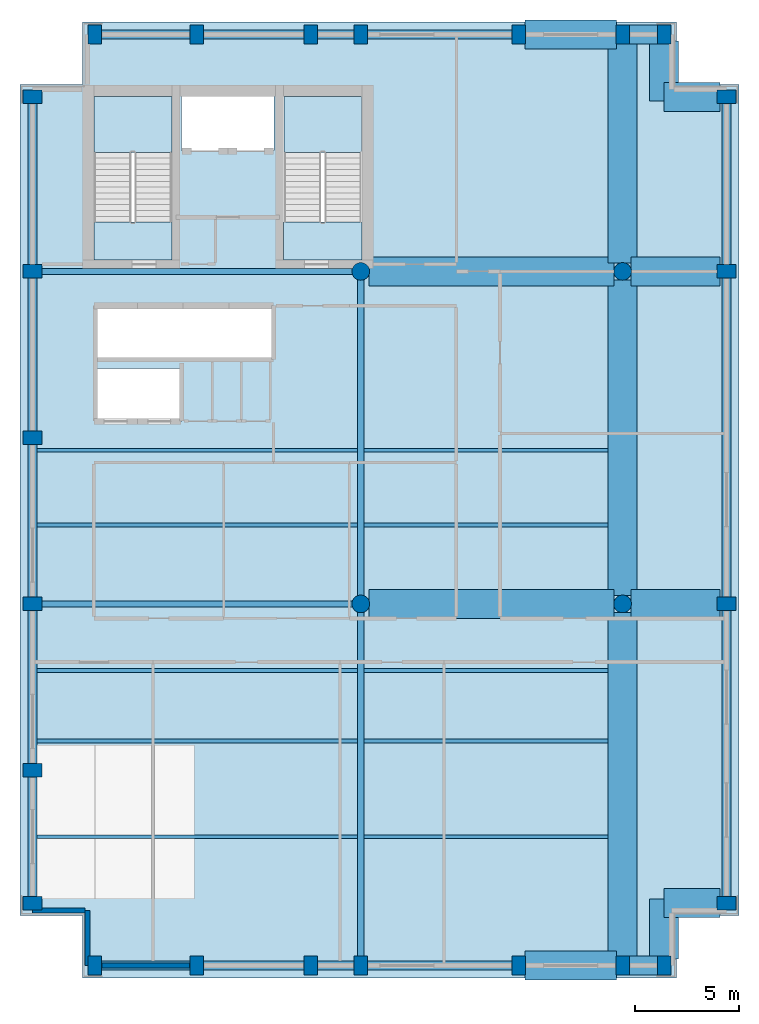
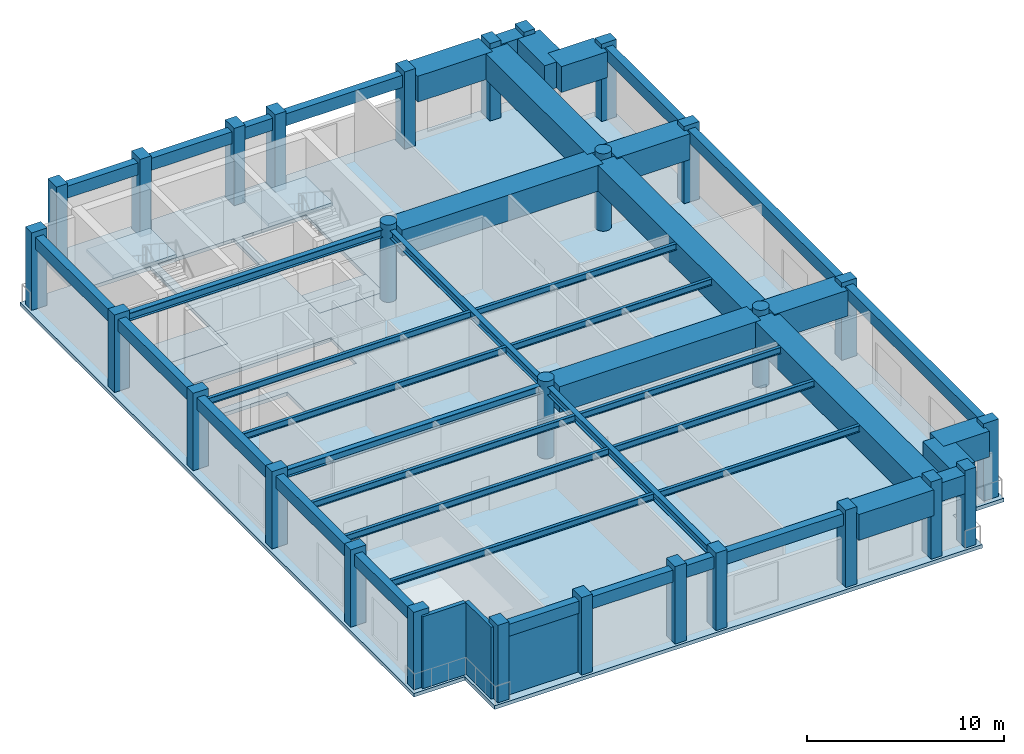
# One storey, part 1 of 6: 45 beams, 28 columns, 5 slabs, 3 walls, 2 elements without a shape of their own.
"""IFC4 building model written with IfcOpenShell, lengths in metres."""

from ifc_helpers import new_model, si_unit, direction, frame, frame_2d, origin, origin_2d, place, context, subcontext, project, spatial, polyline, rectangle, circle, i_section, outline, extrude, material, layer, layer_set, material_profile, profile_set, type_object, element, aggregate, save


model = new_model("IFC4")

# Units and contexts
model_context = context("Model", 3, precision=1e-05, world=origin(), true_north=direction((0.0, 1.0)))
body_context = subcontext(model_context, "Body", "Model", "MODEL_VIEW")
ifc_project = project(units=[si_unit("LENGTHUNIT", "METRE"), si_unit("AREAUNIT", "SQUARE_METRE"), si_unit("VOLUMEUNIT", "CUBIC_METRE"), si_unit("PLANEANGLEUNIT", "RADIAN"), si_unit("MASSUNIT", "GRAM", prefix="KILO")], contexts=[model_context])

# Site, building, storey
site_placement = place(None, origin())
site = spatial("IfcSite", under=ifc_project, at=site_placement, CompositionType="ELEMENT")
building_placement = place(site_placement, origin())
building = spatial("IfcBuilding", under=site, at=building_placement, Name="Sulina Concourse Tower", CompositionType="ELEMENT")
storey_placement = place(building_placement, frame((0.0, 0.0, 313.0)))
storey = spatial("IfcBuildingStorey", under=building, at=storey_placement, Name="L76", CompositionType="ELEMENT", Elevation=313.0)

# Columns
ifc_material_1 = material(Name="Precast concrete C50/60", Category="concrete")
ifc_material_profile_1 = material_profile(ifc_material_1, rectangle(XDim=0.64990234375, YDim=0.89990234375, at=origin_2d()), Name="PC 650x900")
ifc_profile_set_1 = profile_set([ifc_material_profile_1], Name="Precast concrete C50/60")
column_type_1 = type_object("IfcColumnType", Name="Precast Stepped Crown Pier 650x900", PredefinedType="COLUMN", material=ifc_profile_set_1)
for number, where, z_axis, x_axis, name in (
    (1, (3.60009765625, 0.60009765625, 0.0), (0.0, 0.0, 1.0), (1.0, 0.0, 0.0), "L76 structural column TP-S-36"),
    (2, (3.60009765625, 45.39990234375, 0.0), (0.0, 0.0, 1.0), (1.0, 0.0, 0.0), "L76 structural column TP-N-36"),
    (3, (8.5, 0.60009765625, 0.0), (0.0, 0.0, 1.0), (1.0, 0.0, 0.0), "L76 structural column TP-S-85"),
    (4, (8.5, 45.39990234375, 0.0), (0.0, 0.0, 1.0), (1.0, 0.0, 0.0), "L76 structural column TP-N-85"),
    (5, (14.0, 0.60009765625, 0.0), (0.0, 0.0, 1.0), (1.0, 0.0, 0.0), "L76 structural column TP-S-140"),
    (6, (14.0, 45.39990234375, 0.0), (0.0, 0.0, 1.0), (1.0, 0.0, 0.0), "L76 structural column TP-N-140"),
    (7, (16.39990234375, 0.60009765625, 0.0), (0.0, 0.0, 1.0), (1.0, 0.0, 0.0), "L76 structural column TP-S-164"),
    (8, (16.39990234375, 45.39990234375, 0.0), (0.0, 0.0, 1.0), (1.0, 0.0, 0.0), "L76 structural column TP-N-164"),
    (9, (24.0, 0.60009765625, 0.0), (0.0, 0.0, 1.0), (1.0, 0.0, 0.0), "L76 structural column TP-S-240"),
    (10, (24.0, 45.39990234375, 0.0), (0.0, 0.0, 1.0), (1.0, 0.0, 0.0), "L76 structural column TP-N-240"),
    (11, (29.0, 0.60009765625, 0.0), (0.0, 0.0, 1.0), (1.0, 0.0, 0.0), "L76 structural column TP-S-290"),
    (12, (29.0, 45.39990234375, 0.0), (0.0, 0.0, 1.0), (1.0, 0.0, 0.0), "L76 structural column TP-N-290"),
    (13, (31.0, 0.60009765625, 0.0), (0.0, 0.0, 1.0), (1.0, 0.0, 0.0), "L76 structural column TP-SC-310"),
    (14, (31.0, 45.39990234375, 0.0), (0.0, 0.0, 1.0), (1.0, 0.0, 0.0), "L76 structural column TP-NC-310"),
    (15, (0.60009765625, 3.60009765625, 0.0), (0.0, 0.0, 1.0), (0.0, 1.0, 0.0), "L76 structural column TP-W-36"),
    (16, (34.0, 3.60009765625, 0.0), (0.0, 0.0, 1.0), (0.0, 1.0, 0.0), "L76 structural column TP-E-36"),
    (17, (0.60009765625, 10.0, 0.0), (0.0, 0.0, 1.0), (0.0, 1.0, 0.0), "L76 structural column TP-W-100"),
    (18, (0.60009765625, 18.0, 0.0), (0.0, 0.0, 1.0), (0.0, 1.0, 0.0), "L76 structural column TP-W-180"),
    (19, (34.0, 18.0, 0.0), (0.0, 0.0, 1.0), (0.0, 1.0, 0.0), "L76 structural column TP-E-180"),
    (20, (0.60009765625, 26.0, 0.0), (0.0, 0.0, 1.0), (0.0, 1.0, 0.0), "L76 structural column TP-W-260"),
    (21, (0.60009765625, 34.0, 0.0), (0.0, 0.0, 1.0), (0.0, 1.0, 0.0), "L76 structural column TP-W-340"),
    (22, (34.0, 34.0, 0.0), (0.0, 0.0, 1.0), (0.0, 1.0, 0.0), "L76 structural column TP-E-340"),
    (23, (0.60009765625, 42.39990234375, 0.0), (0.0, 0.0, 1.0), (0.0, 1.0, 0.0), "L76 structural column TP-W-424"),
    (24, (34.0, 42.39990234375, 0.0), (0.0, 0.0, 1.0), (0.0, 1.0, 0.0), "L76 structural column TP-E-424"),
):
    element("IfcColumn", number, at=place(storey_placement, frame(where, z_axis=z_axis, x_axis=x_axis)), inside=storey, type_object=column_type_1, Name=name, PredefinedType="COLUMN", context=body_context, shape_type="SweptSolid", body=[
        extrude(rectangle(XDim=0.64990234375, YDim=0.89990234375, at=origin_2d()), origin(), (0.0, 0.0, 1.0), 4.800048828125),
    ])
ifc_material_2 = material(Name="Concrete C50/60", Category="concrete")
ifc_material_profile_2 = material_profile(ifc_material_2, circle(Radius=0.425048828125, at=origin_2d()), Name="RC D850")
ifc_profile_set_2 = profile_set([ifc_material_profile_2], Name="Concrete C50/60")
column_type_2 = type_object("IfcColumnType", Name="Upper Interior Circular Column D850", PredefinedType="COLUMN", material=ifc_profile_set_2)
for number, where, z_axis, x_axis, name in (
    (25, (16.39990234375, 18.0, 0.0), (0.0, 0.0, 1.0), (1.0, 0.0, 0.0), "L76 structural column IC-M-164"),
    (26, (16.39990234375, 34.0, 0.0), (0.0, 0.0, 1.0), (1.0, 0.0, 0.0), "L76 structural column IC-N-164"),
    (27, (29.0, 18.0, 0.0), (0.0, 0.0, 1.0), (1.0, 0.0, 0.0), "L76 structural column IC-M-290"),
    (28, (29.0, 34.0, 0.0), (0.0, 0.0, 1.0), (1.0, 0.0, 0.0), "L76 structural column IC-N-290"),
):
    element("IfcColumn", number, at=place(storey_placement, frame(where, z_axis=z_axis, x_axis=x_axis)), inside=storey, type_object=column_type_2, Name=name, PredefinedType="COLUMN", context=body_context, shape_type="SweptSolid", body=[
        extrude(circle(Radius=0.425048828125, at=origin_2d()), origin(), (0.0, 0.0, 1.0), 4.800048828125),
    ])

# Beams
ifc_material_3 = material(Name="Steel S355", Category="steel")
ifc_material_profile_3 = material_profile(ifc_material_3, i_section(OverallWidth=0.300048828125, OverallDepth=0.5, WebThickness=0.014404296875, FlangeThickness=0.028076171875, at=origin_2d()), Name="HE 500 B")
ifc_profile_set_3 = profile_set([ifc_material_profile_3], Name="Steel S355")
beam_type_1 = type_object("IfcBeamType", Name="Crown & Canopy Primary Girder HE500B", PredefinedType="BEAM", material=ifc_profile_set_3)
for number, where, z_axis, x_axis, name in (
    (29, (0.905029296875, 18.0, 4.2099609375), (1.0, 0.0, 0.0), (0.0, 1.0, 0.0), "FG-EW1-L76"),
    (30, (0.905029296875, 34.0, 4.2099609375), (1.0, 0.0, 0.0), (0.0, 1.0, 0.0), "FG-EWN1-L76"),
):
    element("IfcBeam", number, at=place(storey_placement, frame(where, z_axis=z_axis, x_axis=x_axis)), inside=storey, type_object=beam_type_1, Name=name, PredefinedType="BEAM", context=body_context, shape_type="SweptSolid", body=[
        extrude(i_section(OverallWidth=0.300048828125, OverallDepth=0.5, WebThickness=0.014404296875, FlangeThickness=0.028076171875, at=origin_2d()), origin(), (0.0, 0.0, 1.0), 15.090087890625),
    ])
beam_1_placement = place(storey_placement, frame((16.39990234375, 0.905029296875, 4.2099609375), z_axis=(0.0, 1.0, 0.0), x_axis=(-1.0, 0.0, 0.0)))
element("IfcBeam", 31, at=beam_1_placement, inside=storey, type_object=beam_type_1, Name="FG-NSA-16-L76", PredefinedType="BEAM", context=body_context, shape_type="SweptSolid", body=[
    extrude(i_section(OverallWidth=0.300048828125, OverallDepth=0.5, WebThickness=0.014404296875, FlangeThickness=0.028076171875, at=origin_2d()), origin(), (0.0, 0.0, 1.0), 16.68994140625),
])
beam_2_placement = place(storey_placement, frame((16.39990234375, 18.405029296875, 4.2099609375), z_axis=(0.0, 1.0, 0.0), x_axis=(-1.0, 0.0, 0.0)))
element("IfcBeam", 32, at=beam_2_placement, inside=storey, type_object=beam_type_1, Name="FG-NSB-16-L76", PredefinedType="BEAM", context=body_context, shape_type="SweptSolid", body=[
    extrude(i_section(OverallWidth=0.300048828125, OverallDepth=0.5, WebThickness=0.014404296875, FlangeThickness=0.028076171875, at=origin_2d()), origin(), (0.0, 0.0, 1.0), 15.18994140625),
])
ifc_material_4 = material(Name="Steel S355", Category="steel")
ifc_material_profile_4 = material_profile(ifc_material_4, i_section(OverallWidth=0.179931640625, OverallDepth=0.39990234375, WebThickness=0.008544921875, FlangeThickness=0.013427734375, at=origin_2d()), Name="IPE 400")
ifc_profile_set_4 = profile_set([ifc_material_profile_4], Name="Steel S355")
beam_type_2 = type_object("IfcBeamType", Name="Crown & Terrace Joist IPE400", PredefinedType="JOIST", material=ifc_profile_set_4)
beam_3_placement = place(storey_placement, frame((0.824951171875, 6.800048828125, 4.260009765625), z_axis=(1.0, 0.0, 0.0), x_axis=(0.0, 1.0, 0.0)))
element("IfcBeam", 33, at=beam_3_placement, inside=storey, type_object=beam_type_2, Name="FJ-J06-1-L76", PredefinedType="JOIST", context=body_context, shape_type="SweptSolid", body=[
    extrude(i_section(OverallWidth=0.179931640625, OverallDepth=0.39990234375, WebThickness=0.008544921875, FlangeThickness=0.013427734375, at=origin_2d()), origin(), (0.0, 0.0, 1.0), 15.425048828125),
])
beam_4_placement = place(storey_placement, frame((16.550048828125, 6.800048828125, 4.260009765625), z_axis=(1.0, 0.0, 0.0), x_axis=(0.0, 1.0, 0.0)))
element("IfcBeam", 34, at=beam_4_placement, inside=storey, type_object=beam_type_2, Name="FJ-J06-2-L76", PredefinedType="JOIST", context=body_context, shape_type="SweptSolid", body=[
    extrude(i_section(OverallWidth=0.179931640625, OverallDepth=0.39990234375, WebThickness=0.008544921875, FlangeThickness=0.013427734375, at=origin_2d()), origin(), (0.0, 0.0, 1.0), 11.75),
])
beam_5_placement = place(storey_placement, frame((0.824951171875, 11.39990234375, 4.260009765625), z_axis=(1.0, 0.0, 0.0), x_axis=(0.0, 1.0, 0.0)))
element("IfcBeam", 35, at=beam_5_placement, inside=storey, type_object=beam_type_2, Name="FJ-J11-1-L76", PredefinedType="JOIST", context=body_context, shape_type="SweptSolid", body=[
    extrude(i_section(OverallWidth=0.179931640625, OverallDepth=0.39990234375, WebThickness=0.008544921875, FlangeThickness=0.013427734375, at=origin_2d()), origin(), (0.0, 0.0, 1.0), 15.425048828125),
])
beam_6_placement = place(storey_placement, frame((16.550048828125, 11.39990234375, 4.260009765625), z_axis=(1.0, 0.0, 0.0), x_axis=(0.0, 1.0, 0.0)))
element("IfcBeam", 36, at=beam_6_placement, inside=storey, type_object=beam_type_2, Name="FJ-J11-2-L76", PredefinedType="JOIST", context=body_context, shape_type="SweptSolid", body=[
    extrude(i_section(OverallWidth=0.179931640625, OverallDepth=0.39990234375, WebThickness=0.008544921875, FlangeThickness=0.013427734375, at=origin_2d()), origin(), (0.0, 0.0, 1.0), 11.75),
])
beam_7_placement = place(storey_placement, frame((0.824951171875, 14.800048828125, 4.260009765625), z_axis=(1.0, 0.0, 0.0), x_axis=(0.0, 1.0, 0.0)))
element("IfcBeam", 37, at=beam_7_placement, inside=storey, type_object=beam_type_2, Name="FJ-J15-1-L76", PredefinedType="JOIST", context=body_context, shape_type="SweptSolid", body=[
    extrude(i_section(OverallWidth=0.179931640625, OverallDepth=0.39990234375, WebThickness=0.008544921875, FlangeThickness=0.013427734375, at=origin_2d()), origin(), (0.0, 0.0, 1.0), 15.425048828125),
])
beam_8_placement = place(storey_placement, frame((16.550048828125, 14.800048828125, 4.260009765625), z_axis=(1.0, 0.0, 0.0), x_axis=(0.0, 1.0, 0.0)))
element("IfcBeam", 38, at=beam_8_placement, inside=storey, type_object=beam_type_2, Name="FJ-J15-2-L76", PredefinedType="JOIST", context=body_context, shape_type="SweptSolid", body=[
    extrude(i_section(OverallWidth=0.179931640625, OverallDepth=0.39990234375, WebThickness=0.008544921875, FlangeThickness=0.013427734375, at=origin_2d()), origin(), (0.0, 0.0, 1.0), 11.75),
])
beam_9_placement = place(storey_placement, frame((0.824951171875, 21.800048828125, 4.260009765625), z_axis=(1.0, 0.0, 0.0), x_axis=(0.0, 1.0, 0.0)))
element("IfcBeam", 39, at=beam_9_placement, inside=storey, type_object=beam_type_2, Name="FJ-J22-1-L76", PredefinedType="JOIST", context=body_context, shape_type="SweptSolid", body=[
    extrude(i_section(OverallWidth=0.179931640625, OverallDepth=0.39990234375, WebThickness=0.008544921875, FlangeThickness=0.013427734375, at=origin_2d()), origin(), (0.0, 0.0, 1.0), 15.425048828125),
])
beam_10_placement = place(storey_placement, frame((16.550048828125, 21.800048828125, 4.260009765625), z_axis=(1.0, 0.0, 0.0), x_axis=(0.0, 1.0, 0.0)))
element("IfcBeam", 40, at=beam_10_placement, inside=storey, type_object=beam_type_2, Name="FJ-J22-2-L76", PredefinedType="JOIST", context=body_context, shape_type="SweptSolid", body=[
    extrude(i_section(OverallWidth=0.179931640625, OverallDepth=0.39990234375, WebThickness=0.008544921875, FlangeThickness=0.013427734375, at=origin_2d()), origin(), (0.0, 0.0, 1.0), 11.75),
])
beam_11_placement = place(storey_placement, frame((0.824951171875, 25.39990234375, 4.260009765625), z_axis=(1.0, 0.0, 0.0), x_axis=(0.0, 1.0, 0.0)))
element("IfcBeam", 41, at=beam_11_placement, inside=storey, type_object=beam_type_2, Name="FJ-J25-1-L76", PredefinedType="JOIST", context=body_context, shape_type="SweptSolid", body=[
    extrude(i_section(OverallWidth=0.179931640625, OverallDepth=0.39990234375, WebThickness=0.008544921875, FlangeThickness=0.013427734375, at=origin_2d()), origin(), (0.0, 0.0, 1.0), 15.425048828125),
])
beam_12_placement = place(storey_placement, frame((16.550048828125, 25.39990234375, 4.260009765625), z_axis=(1.0, 0.0, 0.0), x_axis=(0.0, 1.0, 0.0)))
element("IfcBeam", 42, at=beam_12_placement, inside=storey, type_object=beam_type_2, Name="FJ-J25-2-L76", PredefinedType="JOIST", context=body_context, shape_type="SweptSolid", body=[
    extrude(i_section(OverallWidth=0.179931640625, OverallDepth=0.39990234375, WebThickness=0.008544921875, FlangeThickness=0.013427734375, at=origin_2d()), origin(), (0.0, 0.0, 1.0), 11.75),
])
ifc_material_5 = material(Name="Concrete C60/75", Category="concrete")
ifc_material_profile_5 = material_profile(ifc_material_5, rectangle(XDim=1.39990234375, YDim=1.60009765625, at=origin_2d()), Name="RC 1400x1600")
ifc_profile_set_5 = profile_set([ifc_material_profile_5], Name="Concrete C60/75")
beam_type_3 = type_object("IfcBeamType", Name="Perimeter & Step Transfer Girder 1400x1600", PredefinedType="BEAM", material=ifc_profile_set_5)
for number, where, z_axis, x_axis, name in (
    (43, (24.304931640625, 0.60009765625, 3.659912109375), (1.0, 0.0, 0.0), (0.0, 1.0, 0.0), "TG-CSTEP-S5-L76"),
    (44, (24.304931640625, 45.39990234375, 3.659912109375), (1.0, 0.0, 0.0), (0.0, 1.0, 0.0), "TG-CSTEP-N5-L76"),
):
    element("IfcBeam", number, at=place(storey_placement, frame(where, z_axis=z_axis, x_axis=x_axis)), inside=storey, type_object=beam_type_3, Name=name, PredefinedType="BEAM", context=body_context, shape_type="SweptSolid", body=[
        extrude(rectangle(XDim=1.39990234375, YDim=1.60009765625, at=origin_2d()), origin(), (0.0, 0.0, 1.0), 4.39013671875),
    ])
for number, where, z_axis, x_axis, name in (
    (45, (31.0, 3.60009765625, 3.72998046875), (1.0, 0.0, 0.0), (0.0, 1.0, 0.0), "TIE-SE-L76"),
    (46, (31.0, 42.39990234375, 3.72998046875), (1.0, 0.0, 0.0), (0.0, 1.0, 0.0), "TIE-NE-L76"),
):
    element("IfcBeam", number, at=place(storey_placement, frame(where, z_axis=z_axis, x_axis=x_axis)), inside=storey, type_object=beam_type_3, Name=name, PredefinedType="BEAM", context=body_context, shape_type="SweptSolid", body=[
        extrude(rectangle(XDim=1.39990234375, YDim=1.60009765625, at=origin_2d()), origin(), (0.0, 0.0, 1.0), 2.695068359375),
    ])
for number, where, z_axis, x_axis, name in (
    (47, (31.0, 0.905029296875, 3.72998046875), (0.0, 1.0, 0.0), (-1.0, 0.0, 0.0), "TIE-SES-L76"),
    (48, (31.0, 42.199951171875, 3.72998046875), (0.0, 1.0, 0.0), (-1.0, 0.0, 0.0), "TIE-NEN-L76"),
):
    element("IfcBeam", number, at=place(storey_placement, frame(where, z_axis=z_axis, x_axis=x_axis)), inside=storey, type_object=beam_type_3, Name=name, PredefinedType="BEAM", context=body_context, shape_type="SweptSolid", body=[
        extrude(rectangle(XDim=1.39990234375, YDim=1.60009765625, at=origin_2d()), origin(), (0.0, 0.0, 1.0), 2.89501953125),
    ])
beam_13_placement = place(storey_placement, frame((16.804931640625, 18.0, 3.659912109375), z_axis=(1.0, 0.0, 0.0), x_axis=(0.0, 1.0, 0.0)))
element("IfcBeam", 49, at=beam_13_placement, inside=storey, type_object=beam_type_3, Name="TG-EW-M2-L76", PredefinedType="BEAM", context=body_context, shape_type="SweptSolid", body=[
    extrude(rectangle(XDim=1.39990234375, YDim=1.60009765625, at=origin_2d()), origin(), (0.0, 0.0, 1.0), 11.7900390625),
])
beam_14_placement = place(storey_placement, frame((29.405029296875, 18.0, 3.72998046875), z_axis=(1.0, 0.0, 0.0), x_axis=(0.0, 1.0, 0.0)))
element("IfcBeam", 50, at=beam_14_placement, inside=storey, type_object=beam_type_3, Name="TG-EW-M3-L76", PredefinedType="BEAM", context=body_context, shape_type="SweptSolid", body=[
    extrude(rectangle(XDim=1.39990234375, YDim=1.60009765625, at=origin_2d()), origin(), (0.0, 0.0, 1.0), 4.2900390625),
])
beam_15_placement = place(storey_placement, frame((16.804931640625, 34.0, 3.659912109375), z_axis=(1.0, 0.0, 0.0), x_axis=(0.0, 1.0, 0.0)))
element("IfcBeam", 51, at=beam_15_placement, inside=storey, type_object=beam_type_3, Name="TG-EW-N2-L76", PredefinedType="BEAM", context=body_context, shape_type="SweptSolid", body=[
    extrude(rectangle(XDim=1.39990234375, YDim=1.60009765625, at=origin_2d()), origin(), (0.0, 0.0, 1.0), 11.7900390625),
])
beam_16_placement = place(storey_placement, frame((29.405029296875, 34.0, 3.72998046875), z_axis=(1.0, 0.0, 0.0), x_axis=(0.0, 1.0, 0.0)))
element("IfcBeam", 52, at=beam_16_placement, inside=storey, type_object=beam_type_3, Name="TG-EW-N3-L76", PredefinedType="BEAM", context=body_context, shape_type="SweptSolid", body=[
    extrude(rectangle(XDim=1.39990234375, YDim=1.60009765625, at=origin_2d()), origin(), (0.0, 0.0, 1.0), 4.2900390625),
])
beam_17_placement = place(storey_placement, frame((29.0, 0.905029296875, 3.659912109375), z_axis=(0.0, 1.0, 0.0), x_axis=(-1.0, 0.0, 0.0)))
element("IfcBeam", 53, at=beam_17_placement, inside=storey, type_object=beam_type_3, Name="FG-NSA-29-L76", PredefinedType="BEAM", context=body_context, shape_type="SweptSolid", body=[
    extrude(rectangle(XDim=1.39990234375, YDim=1.60009765625, at=origin_2d()), origin(), (0.0, 0.0, 1.0), 16.68994140625),
])
beam_18_placement = place(storey_placement, frame((29.0, 18.405029296875, 3.659912109375), z_axis=(0.0, 1.0, 0.0), x_axis=(-1.0, 0.0, 0.0)))
element("IfcBeam", 54, at=beam_18_placement, inside=storey, type_object=beam_type_3, Name="FG-NSB-29-L76", PredefinedType="BEAM", context=body_context, shape_type="SweptSolid", body=[
    extrude(rectangle(XDim=1.39990234375, YDim=1.60009765625, at=origin_2d()), origin(), (0.0, 0.0, 1.0), 15.18994140625),
])
beam_19_placement = place(storey_placement, frame((29.0, 34.405029296875, 3.659912109375), z_axis=(0.0, 1.0, 0.0), x_axis=(-1.0, 0.0, 0.0)))
element("IfcBeam", 55, at=beam_19_placement, inside=storey, type_object=beam_type_3, Name="FG-NSC-29-L76", PredefinedType="BEAM", context=body_context, shape_type="SweptSolid", body=[
    extrude(rectangle(XDim=1.39990234375, YDim=1.60009765625, at=origin_2d()), origin(), (0.0, 0.0, 1.0), 10.68994140625),
])
ifc_material_6 = material(Name="Concrete C60/75", Category="concrete")
ifc_material_profile_6 = material_profile(ifc_material_6, rectangle(XDim=0.89990234375, YDim=1.14990234375, at=origin_2d()), Name="RC 900x1150")
ifc_profile_set_6 = profile_set([ifc_material_profile_6], Name="Concrete C60/75")
beam_type_4 = type_object("IfcBeamType", Name="Short-Span Step Transfer Beam 900x1150", PredefinedType="BEAM", material=ifc_profile_set_6)
for number, where, z_axis, x_axis, name in (
    (56, (29.304931640625, 0.60009765625, 3.955078125), (1.0, 0.0, 0.0), (0.0, 1.0, 0.0), "TG-CSTEP-S6-L76"),
    (57, (29.304931640625, 45.39990234375, 3.955078125), (1.0, 0.0, 0.0), (0.0, 1.0, 0.0), "TG-CSTEP-N6-L76"),
):
    element("IfcBeam", number, at=place(storey_placement, frame(where, z_axis=z_axis, x_axis=x_axis)), inside=storey, type_object=beam_type_4, Name=name, PredefinedType="BEAM", context=body_context, shape_type="SweptSolid", body=[
        extrude(rectangle(XDim=0.89990234375, YDim=1.14990234375, at=origin_2d()), origin(), (0.0, 0.0, 1.0), 1.39013671875),
    ])
ifc_material_7 = material(Name="Precast concrete C50/60", Category="concrete")
ifc_material_profile_7 = material_profile(ifc_material_7, rectangle(XDim=0.449951171875, YDim=0.75, at=origin_2d()), Name="RC 450x750")
ifc_profile_set_7 = profile_set([ifc_material_profile_7], Name="Precast concrete C50/60")
beam_type_5 = type_object("IfcBeamType", Name="Upper Precast Spandrel Edge Beam 450x750", PredefinedType="BEAM", material=ifc_profile_set_7)
beam_20_placement = place(storey_placement, frame((3.905029296875, 0.60009765625, 4.0849609375), z_axis=(1.0, 0.0, 0.0), x_axis=(0.0, 1.0, 0.0)))
element("IfcBeam", 58, at=beam_20_placement, inside=storey, type_object=beam_type_5, Name="SP-S1-L76", PredefinedType="BEAM", context=body_context, shape_type="SweptSolid", body=[
    extrude(rectangle(XDim=0.449951171875, YDim=0.75, at=origin_2d()), origin(), (0.0, 0.0, 1.0), 4.2900390625),
])
beam_21_placement = place(storey_placement, frame((8.804931640625, 0.60009765625, 4.0849609375), z_axis=(1.0, 0.0, 0.0), x_axis=(0.0, 1.0, 0.0)))
element("IfcBeam", 59, at=beam_21_placement, inside=storey, type_object=beam_type_5, Name="SP-S2-L76", PredefinedType="BEAM", context=body_context, shape_type="SweptSolid", body=[
    extrude(rectangle(XDim=0.449951171875, YDim=0.75, at=origin_2d()), origin(), (0.0, 0.0, 1.0), 4.89013671875),
])
beam_22_placement = place(storey_placement, frame((14.304931640625, 0.60009765625, 4.0849609375), z_axis=(1.0, 0.0, 0.0), x_axis=(0.0, 1.0, 0.0)))
element("IfcBeam", 60, at=beam_22_placement, inside=storey, type_object=beam_type_5, Name="SP-S3-L76", PredefinedType="BEAM", context=body_context, shape_type="SweptSolid", body=[
    extrude(rectangle(XDim=0.449951171875, YDim=0.75, at=origin_2d()), origin(), (0.0, 0.0, 1.0), 1.7900390625),
])
beam_23_placement = place(storey_placement, frame((16.705078125, 0.60009765625, 4.0849609375), z_axis=(1.0, 0.0, 0.0), x_axis=(0.0, 1.0, 0.0)))
element("IfcBeam", 61, at=beam_23_placement, inside=storey, type_object=beam_type_5, Name="SP-S4-L76", PredefinedType="BEAM", context=body_context, shape_type="SweptSolid", body=[
    extrude(rectangle(XDim=0.449951171875, YDim=0.75, at=origin_2d()), origin(), (0.0, 0.0, 1.0), 6.989990234375),
])
beam_24_placement = place(storey_placement, frame((3.905029296875, 45.39990234375, 4.0849609375), z_axis=(1.0, 0.0, 0.0), x_axis=(0.0, 1.0, 0.0)))
element("IfcBeam", 62, at=beam_24_placement, inside=storey, type_object=beam_type_5, Name="SP-N1-L76", PredefinedType="BEAM", context=body_context, shape_type="SweptSolid", body=[
    extrude(rectangle(XDim=0.449951171875, YDim=0.75, at=origin_2d()), origin(), (0.0, 0.0, 1.0), 4.2900390625),
])
beam_25_placement = place(storey_placement, frame((8.804931640625, 45.39990234375, 4.0849609375), z_axis=(1.0, 0.0, 0.0), x_axis=(0.0, 1.0, 0.0)))
element("IfcBeam", 63, at=beam_25_placement, inside=storey, type_object=beam_type_5, Name="SP-N2-L76", PredefinedType="BEAM", context=body_context, shape_type="SweptSolid", body=[
    extrude(rectangle(XDim=0.449951171875, YDim=0.75, at=origin_2d()), origin(), (0.0, 0.0, 1.0), 4.89013671875),
])
beam_26_placement = place(storey_placement, frame((14.304931640625, 45.39990234375, 4.0849609375), z_axis=(1.0, 0.0, 0.0), x_axis=(0.0, 1.0, 0.0)))
element("IfcBeam", 64, at=beam_26_placement, inside=storey, type_object=beam_type_5, Name="SP-N3-L76", PredefinedType="BEAM", context=body_context, shape_type="SweptSolid", body=[
    extrude(rectangle(XDim=0.449951171875, YDim=0.75, at=origin_2d()), origin(), (0.0, 0.0, 1.0), 1.7900390625),
])
beam_27_placement = place(storey_placement, frame((16.705078125, 45.39990234375, 4.0849609375), z_axis=(1.0, 0.0, 0.0), x_axis=(0.0, 1.0, 0.0)))
element("IfcBeam", 65, at=beam_27_placement, inside=storey, type_object=beam_type_5, Name="SP-N4-L76", PredefinedType="BEAM", context=body_context, shape_type="SweptSolid", body=[
    extrude(rectangle(XDim=0.449951171875, YDim=0.75, at=origin_2d()), origin(), (0.0, 0.0, 1.0), 6.989990234375),
])
beam_28_placement = place(storey_placement, frame((0.60009765625, 3.905029296875, 4.0849609375), z_axis=(0.0, 1.0, 0.0), x_axis=(-1.0, 0.0, 0.0)))
element("IfcBeam", 66, at=beam_28_placement, inside=storey, type_object=beam_type_5, Name="SP-W1-L76", PredefinedType="BEAM", context=body_context, shape_type="SweptSolid", body=[
    extrude(rectangle(XDim=0.449951171875, YDim=0.75, at=origin_2d()), origin(), (0.0, 0.0, 1.0), 5.7900390625),
])
for number, where, z_axis, x_axis, name in (
    (67, (0.60009765625, 10.304931640625, 4.0849609375), (0.0, 1.0, 0.0), (-1.0, 0.0, 0.0), "SP-W2-L76"),
    (68, (0.60009765625, 18.304931640625, 4.0849609375), (0.0, 1.0, 0.0), (-1.0, 0.0, 0.0), "SP-W3-L76"),
    (69, (0.60009765625, 26.304931640625, 4.0849609375), (0.0, 1.0, 0.0), (-1.0, 0.0, 0.0), "SP-W4-L76"),
):
    element("IfcBeam", number, at=place(storey_placement, frame(where, z_axis=z_axis, x_axis=x_axis)), inside=storey, type_object=beam_type_5, Name=name, PredefinedType="BEAM", context=body_context, shape_type="SweptSolid", body=[
        extrude(rectangle(XDim=0.449951171875, YDim=0.75, at=origin_2d()), origin(), (0.0, 0.0, 1.0), 7.39013671875),
    ])
beam_29_placement = place(storey_placement, frame((0.60009765625, 34.304931640625, 4.0849609375), z_axis=(0.0, 1.0, 0.0), x_axis=(-1.0, 0.0, 0.0)))
element("IfcBeam", 70, at=beam_29_placement, inside=storey, type_object=beam_type_5, Name="SP-W5-L76", PredefinedType="BEAM", context=body_context, shape_type="SweptSolid", body=[
    extrude(rectangle(XDim=0.449951171875, YDim=0.75, at=origin_2d()), origin(), (0.0, 0.0, 1.0), 7.7900390625),
])
beam_30_placement = place(storey_placement, frame((34.0, 3.905029296875, 4.155029296875), z_axis=(0.0, 1.0, 0.0), x_axis=(-1.0, 0.0, 0.0)))
element("IfcBeam", 71, at=beam_30_placement, inside=storey, type_object=beam_type_5, Name="SP-E1-L76", PredefinedType="BEAM", context=body_context, shape_type="SweptSolid", body=[
    extrude(rectangle(XDim=0.449951171875, YDim=0.75, at=origin_2d()), origin(), (0.0, 0.0, 1.0), 13.7900390625),
])
beam_31_placement = place(storey_placement, frame((34.0, 18.304931640625, 4.155029296875), z_axis=(0.0, 1.0, 0.0), x_axis=(-1.0, 0.0, 0.0)))
element("IfcBeam", 72, at=beam_31_placement, inside=storey, type_object=beam_type_5, Name="SP-E2-L76", PredefinedType="BEAM", context=body_context, shape_type="SweptSolid", body=[
    extrude(rectangle(XDim=0.449951171875, YDim=0.75, at=origin_2d()), origin(), (0.0, 0.0, 1.0), 15.39013671875),
])
beam_32_placement = place(storey_placement, frame((34.0, 34.304931640625, 4.155029296875), z_axis=(0.0, 1.0, 0.0), x_axis=(-1.0, 0.0, 0.0)))
element("IfcBeam", 73, at=beam_32_placement, inside=storey, type_object=beam_type_5, Name="SP-E3-L76", PredefinedType="BEAM", context=body_context, shape_type="SweptSolid", body=[
    extrude(rectangle(XDim=0.449951171875, YDim=0.75, at=origin_2d()), origin(), (0.0, 0.0, 1.0), 7.7900390625),
])

# Slabs
ifc_material_8 = material(Name="Concrete C50/60", Category="concrete")
ifc_layer_1 = layer(ifc_material_8, 0.22509765625)
ifc_layer_set_1 = layer_set([ifc_layer_1], Name="Concrete C50/60")
slab_type_1 = type_object("IfcSlabType", Name="Crown & Observation Floor Slab 225mm", PredefinedType="FLOOR", material=ifc_layer_set_1)
slab_1_placement = place(storey_placement, frame((0.0, 0.0, -0.22509765625)))
element("IfcSlab", 74, at=slab_1_placement, inside=storey, type_object=slab_type_1, Name="L76 structural floor slab", PredefinedType="FLOOR", context=body_context, shape_type="SweptSolid", body=[
    extrude(outline(polyline([(3.0, 0.0), (31.60009765625, 0.0), (31.60009765625, 3.0), (34.60009765625, 3.0), (34.60009765625, 43.0), (31.60009765625, 43.0), (31.60009765625, 46.0), (3.0, 46.0), (3.0, 43.0), (0.0, 43.0), (0.0, 3.0), (3.0, 3.0), (3.0, 0.0)]), holes=[polyline([(7.31005859375, 34.550048828125), (7.31005859375, 42.429931640625), (3.550048828125, 42.429931640625), (3.550048828125, 34.550048828125), (7.31005859375, 34.550048828125)]), polyline([(16.449951171875, 34.550048828125), (16.449951171875, 42.429931640625), (12.68994140625, 42.429931640625), (12.68994140625, 34.550048828125), (16.449951171875, 34.550048828125)]), polyline([(7.780029296875, 39.830078125), (12.219970703125, 39.830078125), (12.219970703125, 42.449951171875), (7.780029296875, 42.449951171875), (7.780029296875, 39.830078125)]), polyline([(3.739990234375, 26.780029296875), (7.77001953125, 26.780029296875), (7.77001953125, 29.320068359375), (3.739990234375, 29.320068359375), (3.739990234375, 26.780029296875)]), polyline([(3.739990234375, 29.780029296875), (12.10009765625, 29.780029296875), (12.10009765625, 32.3701171875), (3.739990234375, 32.3701171875), (3.739990234375, 29.780029296875)])]), origin(), (0.0, 0.0, 1.0), 0.22509765625),
])
ifc_material_9 = material(Name="Concrete C50/60", Category="concrete")
ifc_layer_2 = layer(ifc_material_9, 0.199951171875)
ifc_layer_set_2 = layer_set([ifc_layer_2], Name="Concrete C50/60")
slab_type_2 = type_object("IfcSlabType", Name="Primary Core Stair Landing Slab 200mm", PredefinedType="LANDING", material=ifc_layer_set_2)
slab_2_placement = place(storey_placement, frame((0.0, 0.0, -0.199951171875)))
element("IfcSlab", 75, at=slab_2_placement, inside=storey, type_object=slab_type_2, Name="L76 ST-1 floor landing slab", PredefinedType="LANDING", context=body_context, shape_type="SweptSolid", body=[
    extrude(outline(polyline([(7.31005859375, 34.550048828125), (7.31005859375, 36.375), (3.550048828125, 36.375), (3.550048828125, 34.550048828125), (7.31005859375, 34.550048828125)])), origin(), (0.0, 0.0, 1.0), 0.199951171875),
])
slab_3_placement = place(storey_placement, frame((0.0, 0.0, -0.199951171875)))
element("IfcSlab", 76, at=slab_3_placement, inside=storey, type_object=slab_type_2, Name="L76 ST-2 floor landing slab", PredefinedType="LANDING", context=body_context, shape_type="SweptSolid", body=[
    extrude(outline(polyline([(16.449951171875, 34.550048828125), (16.449951171875, 36.375), (12.68994140625, 36.375), (12.68994140625, 34.550048828125), (16.449951171875, 34.550048828125)])), origin(), (0.0, 0.0, 1.0), 0.199951171875),
])

# Stair, slab
ifc_material_10 = material(Name="Concrete C50/60", Category="concrete")
stair_type = type_object("IfcStairType", Name="Primary Core Dog-Leg Exit Stair 1800mm", PredefinedType="HALF_TURN_STAIR", material=ifc_material_10)
stair_1_placement = place(storey_placement, origin())
stair_1 = element("IfcStair", 77, at=stair_1_placement, inside=storey, type_object=stair_type, Name="L76 ST-1", PredefinedType="HALF_TURN_STAIR")
slab_4_placement = place(storey_placement, frame((0.0, 0.0, 2.199951171875)))
slab_4 = element("IfcSlab", 78, at=slab_4_placement, type_object=slab_type_2, Name="ST-1 landing 1", PredefinedType="LANDING", context=body_context, shape_type="SweptSolid", body=[
    extrude(outline(polyline([(7.304931640625, 39.735107421875), (7.304931640625, 42.425048828125), (3.554931640625, 42.425048828125), (3.554931640625, 39.735107421875), (7.304931640625, 39.735107421875)])), origin(), (0.0, 0.0, 1.0), 0.199951171875),
])
aggregate(stair_1, [slab_4])

stair_2_placement = place(storey_placement, origin())
stair_2 = element("IfcStair", 79, at=stair_2_placement, inside=storey, type_object=stair_type, Name="L76 ST-2", PredefinedType="HALF_TURN_STAIR")
slab_5_placement = place(storey_placement, frame((0.0, 0.0, 2.199951171875)))
slab_5 = element("IfcSlab", 80, at=slab_5_placement, type_object=slab_type_2, Name="ST-2 landing 1", PredefinedType="LANDING", context=body_context, shape_type="SweptSolid", body=[
    extrude(outline(polyline([(16.445068359375, 39.735107421875), (16.445068359375, 42.425048828125), (12.695068359375, 42.425048828125), (12.695068359375, 39.735107421875), (16.445068359375, 39.735107421875)])), origin(), (0.0, 0.0, 1.0), 0.199951171875),
])
aggregate(stair_2, [slab_5])

# Walls
ifc_material_11 = material(Name="Precast concrete C50/60", Category="concrete")
ifc_layer_3 = layer(ifc_material_11, 0.239990234375)
ifc_layer_set_3 = layer_set([ifc_layer_3], Name="Precast concrete C50/60")
wall_type = type_object("IfcWallType", Name="Crown Precast Masonry-Frame Facade Wall 240mm", PredefinedType="SOLIDWALL", material=ifc_layer_set_3)
wall_1_placement = place(storey_placement, frame((8.155029296875, 0.60009765625, 0.0), z_axis=(0.0, 0.0, 1.0), x_axis=(-1.0, 0.0, 0.0)))
element("IfcWall", 81, at=wall_1_placement, inside=storey, type_object=wall_type, Name="L76 exterior precast wall S1", PredefinedType="SOLIDWALL", context=body_context, shape_type="SweptSolid", body=[
    extrude(rectangle(XDim=4.2099609375, YDim=0.239990234375, at=frame_2d((2.10498046875, 0.0))), origin(), (0.0, 0.0, 1.0), 3.7099609375),
])
wall_2_placement = place(storey_placement, frame((3.2548828125, 0.60009765625, 0.0), z_axis=(0.0, 0.0, 1.0), x_axis=(0.0, 1.0, 0.0)))
element("IfcWall", 82, at=wall_2_placement, inside=storey, type_object=wall_type, Name="L76 exterior precast wall CSW1", PredefinedType="SOLIDWALL", context=body_context, shape_type="SweptSolid", body=[
    extrude(rectangle(XDim=2.65478515625, YDim=0.239990234375, at=frame_2d((1.327392578125, 0.0))), origin(), (0.0, 0.0, 1.0), 4.4599609375),
])
wall_3_placement = place(storey_placement, frame((3.1298828125, 3.2548828125, 0.0), z_axis=(0.0, 0.0, 1.0), x_axis=(-1.0, 0.0, 0.0)))
element("IfcWall", 83, at=wall_3_placement, inside=storey, type_object=wall_type, Name="L76 exterior precast wall CSW2", PredefinedType="SOLIDWALL", context=body_context, shape_type="SweptSolid", body=[
    extrude(rectangle(XDim=2.52978515625, YDim=0.239990234375, at=frame_2d((1.264892578125, 0.0))), origin(), (0.0, 0.0, 1.0), 4.4599609375),
])

save(model, "model.ifc")
